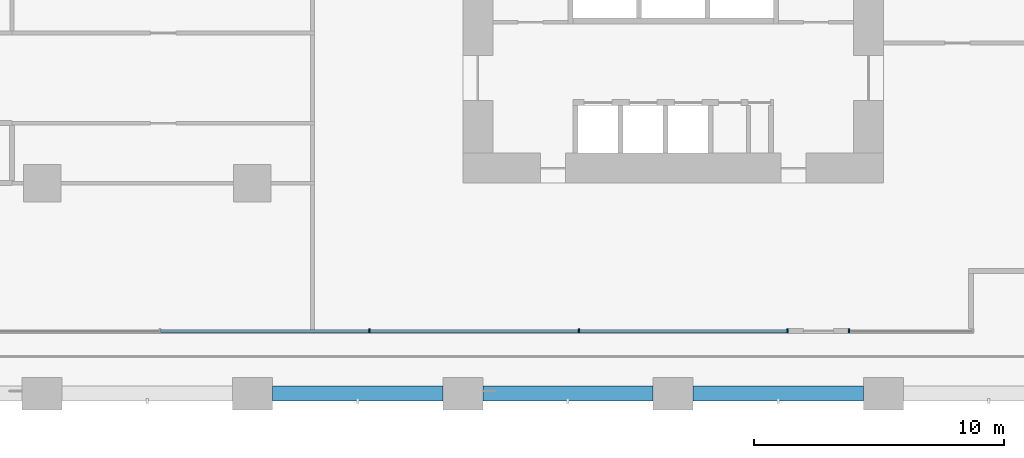
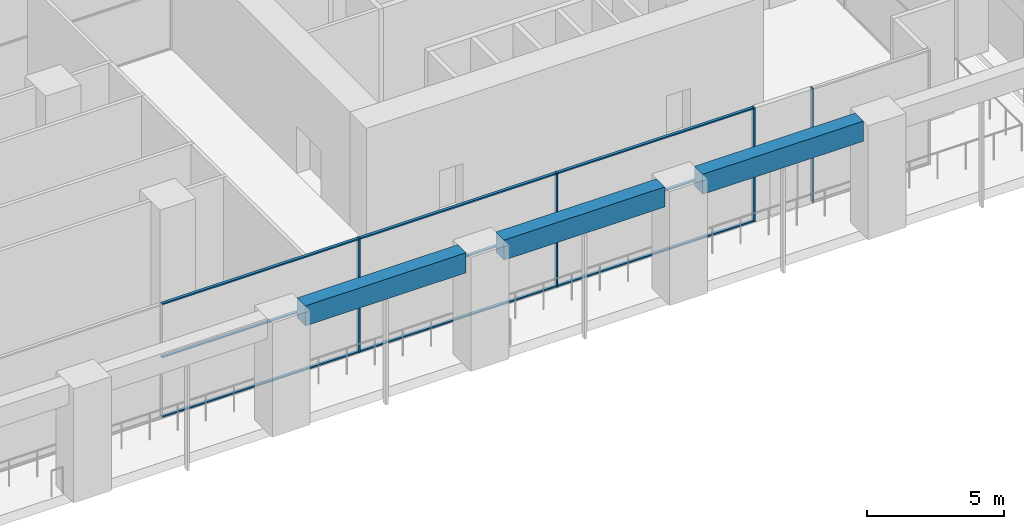
# One storey, part 6 of 33: 13 members, 3 beams, 2 elements without a shape of their own.
"""IFC4 building model written with IfcOpenShell, lengths in metres."""

from ifc_helpers import new_model, si_unit, direction, frame, origin, origin_2d, place, context, subcontext, project, spatial, rectangle, extrude, material, material_profile, profile_set, type_object, element, aggregate, save


model = new_model("IFC4")

# Units and contexts
model_context = context("Model", 3, precision=1e-05, world=origin(), true_north=direction((0.0, 1.0)))
body_context = subcontext(model_context, "Body", "Model", "MODEL_VIEW")
ifc_project = project(units=[si_unit("LENGTHUNIT", "METRE"), si_unit("AREAUNIT", "SQUARE_METRE"), si_unit("VOLUMEUNIT", "CUBIC_METRE"), si_unit("PLANEANGLEUNIT", "RADIAN"), si_unit("MASSUNIT", "GRAM", prefix="KILO")], contexts=[model_context])

# Site, building, storey
site_placement = place(None, origin())
site = spatial("IfcSite", under=ifc_project, at=site_placement, CompositionType="ELEMENT")
building_placement = place(site_placement, origin())
building = spatial("IfcBuilding", under=site, at=building_placement, Name="Vermilion Gate Residences", CompositionType="ELEMENT")
storey_placement = place(building_placement, frame((0.0, 0.0, 14.39990234375)))
storey = spatial("IfcBuildingStorey", under=building, at=storey_placement, Name="L02", CompositionType="ELEMENT", Elevation=14.39990234375)

# Curtain wall, members
ifc_material_1 = material(Name="Aluminium and glass", Category="aluminium")
curtain_wall_type = type_object("IfcCurtainWallType", Name="AMENITY GLAZING CURTAIN WALL", PredefinedType="NOTDEFINED", material=ifc_material_1)
curtain_wall_1_placement = place(storey_placement, origin())
curtain_wall_1 = element("IfcCurtainWall", 1, at=curtain_wall_1_placement, inside=storey, type_object=curtain_wall_type, Name="Amenity Glazing 60", PredefinedType="NOTDEFINED")
ifc_material_2 = material(Name="Aluminium", Category="aluminium")
ifc_material_profile_1 = material_profile(ifc_material_2, rectangle(XDim=0.159912109375, YDim=0.06005859375, at=origin_2d()), Name="MULLION 60 X 160")
ifc_profile_set_1 = profile_set([ifc_material_profile_1], Name="Aluminium")
member_type_1 = type_object("IfcMemberType", Name="AMENITY GLAZING MULLION 60 X 160", PredefinedType="MULLION", material=ifc_profile_set_1)
member_1_placement = place(storey_placement, frame((38.2666015625, 2.5, 0.0), z_axis=(0.0, 0.0, 1.0), x_axis=(0.0, 1.0, 0.0)))
member_1 = element("IfcMember", 2, at=member_1_placement, type_object=member_type_1, Name="ECW2 mullion 5", PredefinedType="MULLION", context=body_context, shape_type="SweptSolid", body=[
    extrude(rectangle(XDim=0.159912109375, YDim=0.06005859375, at=origin_2d()), origin(), (0.0, 0.0, 1.0), 5.10009765625),
])
member_2_placement = place(storey_placement, frame((46.63330078125, 2.5, 0.0), z_axis=(0.0, 0.0, 1.0), x_axis=(0.0, 1.0, 0.0)))
member_2 = element("IfcMember", 3, at=member_2_placement, type_object=member_type_1, Name="ECW2 mullion 6", PredefinedType="MULLION", context=body_context, shape_type="SweptSolid", body=[
    extrude(rectangle(XDim=0.159912109375, YDim=0.06005859375, at=origin_2d()), origin(), (0.0, 0.0, 1.0), 5.10009765625),
])
member_3_placement = place(storey_placement, frame((54.969970703125, 2.5, 0.0), z_axis=(0.0, 0.0, 1.0), x_axis=(0.0, 1.0, 0.0)))
member_3 = element("IfcMember", 4, at=member_3_placement, type_object=member_type_1, Name="ECW2 mullion 7", PredefinedType="MULLION", context=body_context, shape_type="SweptSolid", body=[
    extrude(rectangle(XDim=0.159912109375, YDim=0.06005859375, at=origin_2d()), origin(), (0.0, 0.0, 1.0), 5.10009765625),
])

# Curtain wall, member
curtain_wall_2_placement = place(storey_placement, origin())
curtain_wall_2 = element("IfcCurtainWall", 5, at=curtain_wall_2_placement, inside=storey, type_object=curtain_wall_type, Name="Amenity Glazing 62", PredefinedType="NOTDEFINED")
member_4_placement = place(storey_placement, frame((57.429931640625, 2.5, 0.0), z_axis=(0.0, 0.0, 1.0), x_axis=(0.0, 1.0, 0.0)))
member_4 = element("IfcMember", 6, at=member_4_placement, type_object=member_type_1, Name="ECW2 mullion 1", PredefinedType="MULLION", context=body_context, shape_type="SweptSolid", body=[
    extrude(rectangle(XDim=0.159912109375, YDim=0.06005859375, at=origin_2d()), origin(), (0.0, 0.0, 1.0), 5.10009765625),
])
aggregate(curtain_wall_2, [member_4])

# Member
ifc_material_3 = material(Name="Aluminium", Category="aluminium")
ifc_material_profile_2 = material_profile(ifc_material_3, rectangle(XDim=0.1201171875, YDim=0.06005859375, at=origin_2d()), Name="TRANSOM 60 X 120")
ifc_profile_set_2 = profile_set([ifc_material_profile_2], Name="Aluminium")
member_type_2 = type_object("IfcMemberType", Name="AMENITY GLAZING TRANSOM 60 X 120", PredefinedType="MULLION", material=ifc_profile_set_2)
member_5_placement = place(storey_placement, frame((29.929931640625, 2.5, 0.030029296875), z_axis=(1.0, 0.0, 0.0), x_axis=(0.0, 1.0, 0.0)))
member_5 = element("IfcMember", 7, at=member_5_placement, type_object=member_type_2, Name="ECW2 transom 4.1", PredefinedType="MULLION", context=body_context, shape_type="SweptSolid", body=[
    extrude(rectangle(XDim=0.1201171875, YDim=0.06005859375, at=origin_2d()), origin(), (0.0, 0.0, 1.0), 8.306640625),
])

member_6_placement = place(storey_placement, frame((29.929931640625, 2.5, 2.7001953125), z_axis=(1.0, 0.0, 0.0), x_axis=(0.0, 1.0, 0.0)))
member_6 = element("IfcMember", 8, at=member_6_placement, type_object=member_type_2, Name="ECW2 transom 4.2", PredefinedType="MULLION", context=body_context, shape_type="SweptSolid", body=[
    extrude(rectangle(XDim=0.1201171875, YDim=0.06005859375, at=origin_2d()), origin(), (0.0, 0.0, 1.0), 8.306640625),
])

member_7_placement = place(storey_placement, frame((29.929931640625, 2.5, 5.070068359375), z_axis=(1.0, 0.0, 0.0), x_axis=(0.0, 1.0, 0.0)))
member_7 = element("IfcMember", 9, at=member_7_placement, type_object=member_type_2, Name="ECW2 transom 4.3", PredefinedType="MULLION", context=body_context, shape_type="SweptSolid", body=[
    extrude(rectangle(XDim=0.1201171875, YDim=0.06005859375, at=origin_2d()), origin(), (0.0, 0.0, 1.0), 8.306640625),
])

member_8_placement = place(storey_placement, frame((38.296630859375, 2.5, 0.030029296875), z_axis=(1.0, 0.0, 0.0), x_axis=(0.0, 1.0, 0.0)))
member_8 = element("IfcMember", 10, at=member_8_placement, type_object=member_type_2, Name="ECW2 transom 5.1", PredefinedType="MULLION", context=body_context, shape_type="SweptSolid", body=[
    extrude(rectangle(XDim=0.1201171875, YDim=0.06005859375, at=origin_2d()), origin(), (0.0, 0.0, 1.0), 8.306640625),
])

member_9_placement = place(storey_placement, frame((38.296630859375, 2.5, 2.7001953125), z_axis=(1.0, 0.0, 0.0), x_axis=(0.0, 1.0, 0.0)))
member_9 = element("IfcMember", 11, at=member_9_placement, type_object=member_type_2, Name="ECW2 transom 5.2", PredefinedType="MULLION", context=body_context, shape_type="SweptSolid", body=[
    extrude(rectangle(XDim=0.1201171875, YDim=0.06005859375, at=origin_2d()), origin(), (0.0, 0.0, 1.0), 8.306640625),
])

member_10_placement = place(storey_placement, frame((38.296630859375, 2.5, 5.070068359375), z_axis=(1.0, 0.0, 0.0), x_axis=(0.0, 1.0, 0.0)))
member_10 = element("IfcMember", 12, at=member_10_placement, type_object=member_type_2, Name="ECW2 transom 5.3", PredefinedType="MULLION", context=body_context, shape_type="SweptSolid", body=[
    extrude(rectangle(XDim=0.1201171875, YDim=0.06005859375, at=origin_2d()), origin(), (0.0, 0.0, 1.0), 8.306640625),
])

member_11_placement = place(storey_placement, frame((46.663330078125, 2.5, 0.030029296875), z_axis=(1.0, 0.0, 0.0), x_axis=(0.0, 1.0, 0.0)))
member_11 = element("IfcMember", 13, at=member_11_placement, type_object=member_type_2, Name="ECW2 transom 6.1", PredefinedType="MULLION", context=body_context, shape_type="SweptSolid", body=[
    extrude(rectangle(XDim=0.1201171875, YDim=0.06005859375, at=origin_2d()), origin(), (0.0, 0.0, 1.0), 8.276611328125),
])

member_12_placement = place(storey_placement, frame((46.663330078125, 2.5, 2.7001953125), z_axis=(1.0, 0.0, 0.0), x_axis=(0.0, 1.0, 0.0)))
member_12 = element("IfcMember", 14, at=member_12_placement, type_object=member_type_2, Name="ECW2 transom 6.2", PredefinedType="MULLION", context=body_context, shape_type="SweptSolid", body=[
    extrude(rectangle(XDim=0.1201171875, YDim=0.06005859375, at=origin_2d()), origin(), (0.0, 0.0, 1.0), 8.276611328125),
])

member_13_placement = place(storey_placement, frame((46.663330078125, 2.5, 5.070068359375), z_axis=(1.0, 0.0, 0.0), x_axis=(0.0, 1.0, 0.0)))
member_13 = element("IfcMember", 15, at=member_13_placement, type_object=member_type_2, Name="ECW2 transom 6.3", PredefinedType="MULLION", context=body_context, shape_type="SweptSolid", body=[
    extrude(rectangle(XDim=0.1201171875, YDim=0.06005859375, at=origin_2d()), origin(), (0.0, 0.0, 1.0), 8.276611328125),
])

aggregate(curtain_wall_1, [member_1, member_2, member_3, member_5, member_6, member_7, member_8, member_9, member_10, member_11, member_12, member_13])

# Beams
ifc_material_4 = material(Name="Concrete C60 red-oxide pigmented", Category="concrete")
ifc_material_profile_3 = material_profile(ifc_material_4, rectangle(XDim=0.60009765625, YDim=0.89990234375, at=origin_2d()), Name="RC-600x900")
ifc_profile_set_3 = profile_set([ifc_material_profile_3], Name="Concrete C60 red-oxide pigmented")
beam_type = type_object("IfcBeamType", Name="RC EDGE BEAM 600 X 900 C60", PredefinedType="BEAM", material=ifc_profile_set_3)
for number, where, z_axis, x_axis, name in (
    (16, (34.39990234375, 0.0, 4.650146484375), (1.0, 0.0, 0.0), (0.0, 1.0, 0.0), "Edge beam L02 16"),
    (17, (42.800048828125, 0.0, 4.650146484375), (1.0, 0.0, 0.0), (0.0, 1.0, 0.0), "Edge beam L02 18"),
    (18, (51.199951171875, 0.0, 4.650146484375), (1.0, 0.0, 0.0), (0.0, 1.0, 0.0), "Edge beam L02 19"),
):
    element("IfcBeam", number, at=place(storey_placement, frame(where, z_axis=z_axis, x_axis=x_axis)), inside=storey, type_object=beam_type, Name=name, PredefinedType="BEAM", context=body_context, shape_type="SweptSolid", body=[
        extrude(rectangle(XDim=0.60009765625, YDim=0.89990234375, at=origin_2d()), origin(), (0.0, 0.0, 1.0), 6.800048828125),
    ])

save(model, "model.ifc")
